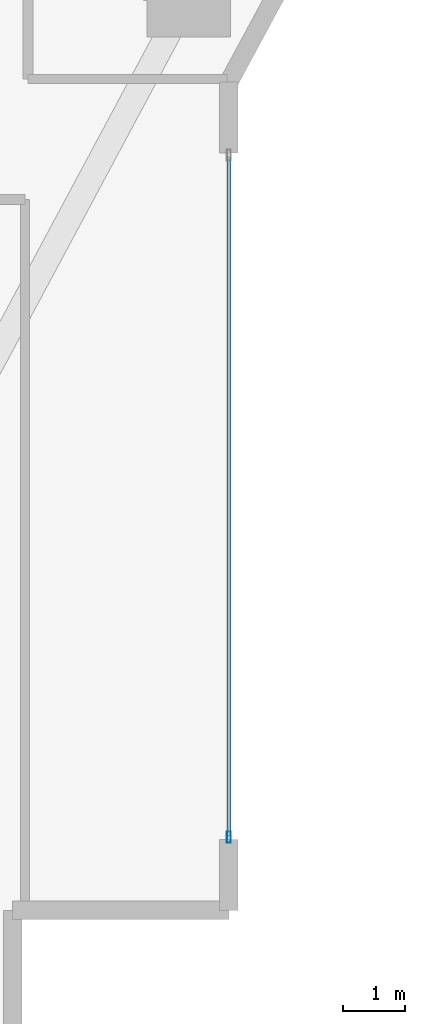
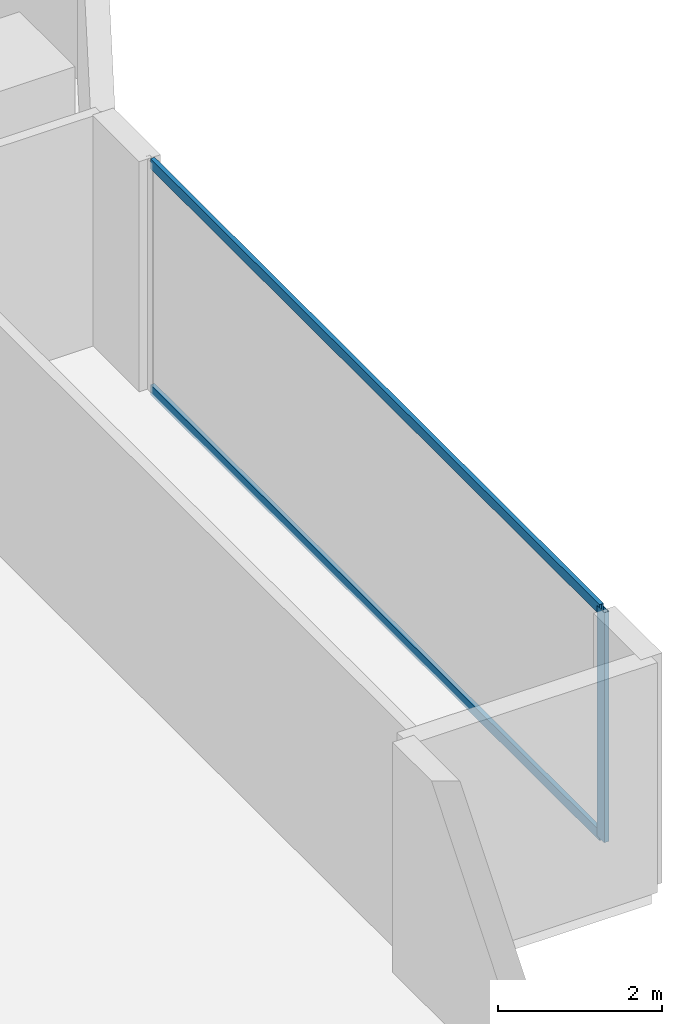
# One storey, part 11 of 29: 3 members, 1 element without a shape of its own.
"""IFC4 building model written with IfcOpenShell, lengths in metres."""

from ifc_helpers import new_model, si_unit, direction, frame, origin, origin_2d, place, context, subcontext, project, spatial, hollow_rectangle, extrude, material, layer, layer_set, material_profile, profile_set, type_object, element, aggregate, save


model = new_model("IFC4")

# Units and contexts
model_context = context("Model", 3, precision=1e-05, world=origin(), true_north=direction((0.0, 1.0)))
body_context = subcontext(model_context, "Body", "Model", "MODEL_VIEW")
ifc_project = project(units=[si_unit("LENGTHUNIT", "METRE"), si_unit("AREAUNIT", "SQUARE_METRE"), si_unit("VOLUMEUNIT", "CUBIC_METRE"), si_unit("PLANEANGLEUNIT", "RADIAN"), si_unit("MASSUNIT", "GRAM", prefix="KILO")], contexts=[model_context])

# Site, building, storey
site_placement = place(None, origin())
site = spatial("IfcSite", under=ifc_project, at=site_placement, CompositionType="ELEMENT")
building_placement = place(site_placement, origin())
building = spatial("IfcBuilding", under=site, at=building_placement, Name="Zuhayl Quay Hotel", CompositionType="ELEMENT")
storey_placement = place(building_placement, frame((0.0, 0.0, 95.64990234375)))
storey = spatial("IfcBuildingStorey", under=building, at=storey_placement, Name="L23", CompositionType="ELEMENT", Elevation=95.64990234375)

# Curtain wall, members
ifc_material_1 = material(Name="Anodised Aluminium 6063-T6", Category="aluminium")
ifc_layer = layer(ifc_material_1, 0.179931640625, Name="Anodised Aluminium 6063-T6", Category="aluminium")
ifc_layer_set = layer_set([ifc_layer], Name="Anodised Aluminium 6063-T6")
curtain_wall_type = type_object("IfcCurtainWallType", Name="CW_SYS_Z2", PredefinedType="USERDEFINED", material=ifc_layer_set)
curtain_wall_placement = place(storey_placement, origin())
curtain_wall = element("IfcCurtainWall", 1, at=curtain_wall_placement, inside=storey, type_object=curtain_wall_type, Name="L23 Curtain Wall ENV_L23_E14_CW1", ObjectType="UNITISED CURTAIN WALL", PredefinedType="USERDEFINED")
ifc_material_2 = material(Name="Black-anodised aluminium 6063-T6", Category="aluminium")
ifc_material_profile_1 = material_profile(ifc_material_2, hollow_rectangle(XDim=0.06494140625, YDim=0.179931640625, WallThickness=0.00341796875, at=origin_2d()), Name="ALU180X65")
ifc_profile_set_1 = profile_set([ifc_material_profile_1], Name="Black-anodised aluminium 6063-T6")
member_type_1 = type_object("IfcMemberType", Name="MB_CW_MUL_180", PredefinedType="MULLION", material=ifc_profile_set_1)
member_1_placement = place(storey_placement, frame((23.89990234375, -10.717529296875, 0.0), z_axis=(0.0, 0.0, 1.0), x_axis=(1.0, 0.0, 0.0)))
member_1 = element("IfcMember", 2, at=member_1_placement, type_object=member_type_1, Name="CW-Z2 mullion 2", PredefinedType="MULLION", context=body_context, shape_type="SweptSolid", body=[
    extrude(hollow_rectangle(XDim=0.06494140625, YDim=0.179931640625, WallThickness=0.00341796875, at=origin_2d()), origin(), (0.0, 0.0, 1.0), 3.43017578125),
])
ifc_material_profile_2 = material_profile(ifc_material_2, hollow_rectangle(XDim=0.06005859375, YDim=0.14990234375, WallThickness=0.00341796875, at=origin_2d()), Name="ALU150X60")
ifc_profile_set_2 = profile_set([ifc_material_profile_2], Name="Black-anodised aluminium 6063-T6")
member_type_2 = type_object("IfcMemberType", Name="MB_CW_TRN_150", PredefinedType="USERDEFINED", material=ifc_profile_set_2)
member_2_placement = place(storey_placement, frame((23.89990234375, 0.284912109375, 0.030029296875), z_axis=(0.0, -1.0, 0.0), x_axis=(1.0, 0.0, 0.0)))
member_2 = element("IfcMember", 3, at=member_2_placement, type_object=member_type_2, Name="CW-Z2 transom 1.1", ObjectType="TRANSOM", PredefinedType="USERDEFINED", context=body_context, shape_type="SweptSolid", body=[
    extrude(hollow_rectangle(XDim=0.06005859375, YDim=0.14990234375, WallThickness=0.00341796875, at=origin_2d()), origin(), (0.0, 0.0, 1.0), 10.969970703125),
])
member_3_placement = place(storey_placement, frame((23.89990234375, 0.284912109375, 3.400146484375), z_axis=(0.0, -1.0, 0.0), x_axis=(1.0, 0.0, 0.0)))
member_3 = element("IfcMember", 4, at=member_3_placement, type_object=member_type_2, Name="CW-Z2 transom 1.2", ObjectType="TRANSOM", PredefinedType="USERDEFINED", context=body_context, shape_type="SweptSolid", body=[
    extrude(hollow_rectangle(XDim=0.06005859375, YDim=0.14990234375, WallThickness=0.00341796875, at=origin_2d()), origin(), (0.0, 0.0, 1.0), 10.969970703125),
])
aggregate(curtain_wall, [member_1, member_2, member_3])

save(model, "model.ifc")
